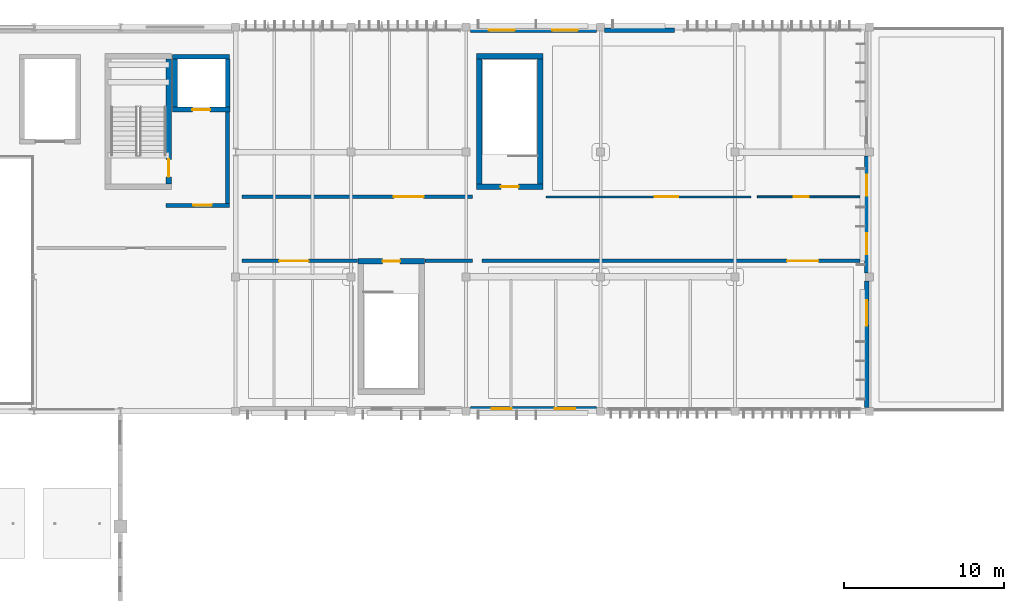
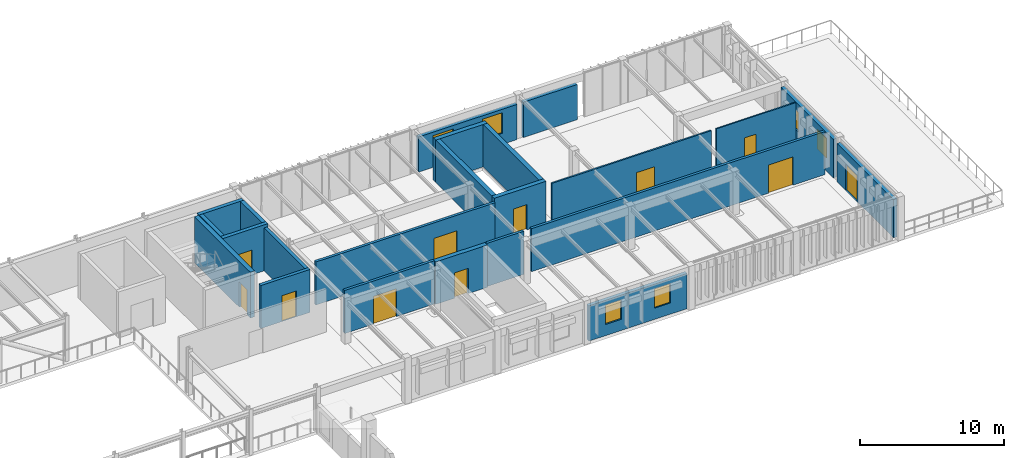
# One storey, part 23 of 44: 23 walls, 11 doors, 6 windows, 17 openings.
"""IFC4 building model written with IfcOpenShell, lengths in metres."""

from ifc_helpers import new_model, si_unit, direction, frame, frame_2d, origin, place, context, subcontext, project, spatial, rectangle, extrude, material, layer, layer_set, type_object, element, fill, save


model = new_model("IFC4")

# Units and contexts
model_context = context("Model", 3, precision=1e-05, world=origin(), true_north=direction((0.0, 1.0)))
body_context = subcontext(model_context, "Body", "Model", "MODEL_VIEW")
ifc_project = project(units=[si_unit("LENGTHUNIT", "METRE"), si_unit("AREAUNIT", "SQUARE_METRE"), si_unit("VOLUMEUNIT", "CUBIC_METRE"), si_unit("PLANEANGLEUNIT", "RADIAN"), si_unit("MASSUNIT", "GRAM", prefix="KILO")], contexts=[model_context])

# Site, building, storey
site_placement = place(None, origin())
site = spatial("IfcSite", under=ifc_project, at=site_placement, CompositionType="ELEMENT")
building_placement = place(site_placement, origin())
building = spatial("IfcBuilding", under=site, at=building_placement, Name="Tazoul Stagehouse", CompositionType="ELEMENT")
storey_placement = place(building_placement, frame((0.0, 0.0, 13.199951171875)))
storey = spatial("IfcBuildingStorey", under=building, at=storey_placement, Name="L03", CompositionType="ELEMENT", Elevation=13.199951171875)

# Wall, opening, door
ifc_material_1 = material(Name="Concrete C40/50", Category="concrete")
ifc_layer_1 = layer(ifc_material_1, 0.35009765625, Name="Concrete C40/50")
ifc_layer_set_1 = layer_set([ifc_layer_1], Name="Concrete C40/50")
wall_type_1 = type_object("IfcWallType", Name="Core Shear Wall 350", PredefinedType="SOLIDWALL", material=ifc_layer_set_1)
wall_1_placement = place(storey_placement, frame((98.425048828125, 109.800048828125, 0.0), z_axis=(0.0, 0.0, 1.0), x_axis=(0.0, -1.0, 0.0)))
wall_1 = element("IfcWall", 1, at=wall_1_placement, inside=storey, type_object=wall_type_1, Name="L03 Core Wall CW-350 (SHF-ST-01-east)", PredefinedType="SOLIDWALL", context=body_context, shape_type="SweptSolid", body=[
    extrude(rectangle(XDim=7.800048828125, YDim=0.35009765625, at=frame_2d((3.89990234375, 0.0))), origin(), (0.0, 0.0, 1.0), 3.900146484375),
])
opening_1_placement = place(wall_1_placement, frame((6.25, 0.0, 0.0)))
opening_1 = element("IfcOpeningElement", 2, at=opening_1_placement, cuts=wall_1, Name="Opening FD-01", PredefinedType="OPENING", context=body_context, shape_type="SweptSolid", body=[
    extrude(rectangle(XDim=1.10009765625, YDim=2.14990234375, at=frame_2d((0.550048828125, 1.074951171875))), frame((0.0, 0.195068359375, 0.0), z_axis=(0.0, -1.0, 0.0), x_axis=(1.0, 0.0, 0.0)), (0.0, 0.0, 1.0), 0.39013671875),
])
ifc_material_2 = material(Name="Powder-Coated Galvanised Acoustic Steel", Category="steel")
door_type_1 = type_object("IfcDoorType", Name="Core Escape Stair Fire Door 1100x2150", OperationType="NOTDEFINED", PredefinedType="DOOR", material=ifc_material_2)
door_1_placement = place(opening_1_placement, origin())
door_1 = element("IfcDoor", 3, at=door_1_placement, inside=storey, type_object=door_type_1, Name="L03 Escape Stair Fire Door FD-01 (ST-01)", OperationType="SINGLE_SWING_LEFT", OverallHeight=2.14990234375, OverallWidth=1.10009765625, PredefinedType="DOOR", context=body_context, shape_type="SweptSolid", body=[
    extrude(rectangle(XDim=1.10009765625, YDim=2.14990234375, at=frame_2d((0.550048828125, 1.074951171875))), frame((0.0, 0.02490234375, 0.0), z_axis=(0.0, -1.0, 0.0), x_axis=(1.0, 0.0, 0.0)), (0.0, 0.0, 1.0), 0.050048828125),
])
fill(opening_1, door_1)

wall_2_placement = place(storey_placement, frame((121.800048828125, 101.824951171875, 0.0), z_axis=(0.0, 0.0, 1.0), x_axis=(-1.0, 0.0, 0.0)))
wall_2 = element("IfcWall", 4, at=wall_2_placement, inside=storey, type_object=wall_type_1, Name="L03 Core Wall CW-350 (SHF-ST-02-south)", PredefinedType="SOLIDWALL", context=body_context, shape_type="SweptSolid", body=[
    extrude(rectangle(XDim=4.150146484375, YDim=0.35009765625, at=frame_2d((2.0751953125, 0.0))), origin(), (0.0, 0.0, 1.0), 3.60009765625),
])
opening_2_placement = place(wall_2_placement, frame((1.52490234375, 0.0, 0.0)))
opening_2 = element("IfcOpeningElement", 5, at=opening_2_placement, cuts=wall_2, Name="Opening FD-01", PredefinedType="OPENING", context=body_context, shape_type="SweptSolid", body=[
    extrude(rectangle(XDim=1.10009765625, YDim=2.14990234375, at=frame_2d((0.550048828125, 1.074951171875))), frame((0.0, 0.195068359375, 0.0), z_axis=(0.0, -1.0, 0.0), x_axis=(1.0, 0.0, 0.0)), (0.0, 0.0, 1.0), 0.39013671875),
])
door_2_placement = place(opening_2_placement, origin())
door_2 = element("IfcDoor", 6, at=door_2_placement, inside=storey, type_object=door_type_1, Name="L03 Escape Stair Fire Door FD-01 (ST-02)", OperationType="SINGLE_SWING_RIGHT", OverallHeight=2.14990234375, OverallWidth=1.10009765625, PredefinedType="DOOR", context=body_context, shape_type="SweptSolid", body=[
    extrude(rectangle(XDim=1.10009765625, YDim=2.14990234375, at=frame_2d((0.550048828125, 1.074951171875))), frame((0.0, 0.02490234375, 0.0), z_axis=(0.0, -1.0, 0.0), x_axis=(1.0, 0.0, 0.0)), (0.0, 0.0, 1.0), 0.050048828125),
])
fill(opening_2, door_2)

# Walls
wall_3_placement = place(storey_placement, frame((117.824951171875, 102.0, 0.0), z_axis=(0.0, 0.0, 1.0), x_axis=(0.0, 1.0, 0.0)))
element("IfcWall", 7, at=wall_3_placement, inside=storey, type_object=wall_type_1, Name="L03 Core Wall CW-350 (SHF-ST-02-west)", PredefinedType="SOLIDWALL", context=body_context, shape_type="SweptSolid", body=[
    extrude(rectangle(XDim=7.800048828125, YDim=0.35009765625, at=frame_2d((3.89990234375, 0.0))), origin(), (0.0, 0.0, 1.0), 3.60009765625),
])
wall_4_placement = place(storey_placement, frame((117.64990234375, 109.97509765625, 0.0), z_axis=(0.0, 0.0, 1.0), x_axis=(1.0, 0.0, 0.0)))
element("IfcWall", 8, at=wall_4_placement, inside=storey, type_object=wall_type_1, Name="L03 Core Wall CW-350 (SHF-ST-02-north)", PredefinedType="SOLIDWALL", context=body_context, shape_type="SweptSolid", body=[
    extrude(rectangle(XDim=4.150146484375, YDim=0.35009765625, at=frame_2d((2.0751953125, 0.0))), origin(), (0.0, 0.0, 1.0), 3.60009765625),
])
wall_5_placement = place(storey_placement, frame((121.625, 109.800048828125, 0.0), z_axis=(0.0, 0.0, 1.0), x_axis=(0.0, -1.0, 0.0)))
element("IfcWall", 9, at=wall_5_placement, inside=storey, type_object=wall_type_1, Name="L03 Core Wall CW-350 (SHF-ST-02-east)", PredefinedType="SOLIDWALL", context=body_context, shape_type="SweptSolid", body=[
    extrude(rectangle(XDim=7.800048828125, YDim=0.35009765625, at=frame_2d((3.89990234375, 0.0))), origin(), (0.0, 0.0, 1.0), 3.60009765625),
])

# Wall, opening, door
wall_6_placement = place(storey_placement, frame((110.25, 97.175048828125, 0.0), z_axis=(0.0, 0.0, 1.0), x_axis=(1.0, 0.0, 0.0)))
wall_6 = element("IfcWall", 10, at=wall_6_placement, inside=storey, type_object=wall_type_1, Name="L03 Core Wall CW-350 (SHF-ST-04-north)", PredefinedType="SOLIDWALL", context=body_context, shape_type="SweptSolid", body=[
    extrude(rectangle(XDim=4.14990234375, YDim=0.35009765625, at=frame_2d((2.074951171875, 0.0))), origin(), (0.0, 0.0, 1.0), 3.60009765625),
])
opening_3_placement = place(wall_6_placement, frame((1.52490234375, 0.0, 0.0)))
opening_3 = element("IfcOpeningElement", 11, at=opening_3_placement, cuts=wall_6, Name="Opening FD-01", PredefinedType="OPENING", context=body_context, shape_type="SweptSolid", body=[
    extrude(rectangle(XDim=1.10009765625, YDim=2.14990234375, at=frame_2d((0.550048828125, 1.074951171875))), frame((0.0, 0.195068359375, 0.0), z_axis=(0.0, -1.0, 0.0), x_axis=(1.0, 0.0, 0.0)), (0.0, 0.0, 1.0), 0.39013671875),
])
door_3_placement = place(opening_3_placement, origin())
door_3 = element("IfcDoor", 12, at=door_3_placement, inside=storey, type_object=door_type_1, Name="L03 Escape Stair Fire Door FD-01 (ST-04)", OperationType="SINGLE_SWING_LEFT", OverallHeight=2.14990234375, OverallWidth=1.10009765625, PredefinedType="DOOR", context=body_context, shape_type="SweptSolid", body=[
    extrude(rectangle(XDim=1.10009765625, YDim=2.14990234375, at=frame_2d((0.550048828125, 1.074951171875))), frame((0.0, 0.02490234375, 0.0), z_axis=(0.0, -1.0, 0.0), x_axis=(1.0, 0.0, 0.0)), (0.0, 0.0, 1.0), 0.050048828125),
])
fill(opening_3, door_3)

ifc_layer_2 = layer(ifc_material_1, 0.260009765625, Name="Concrete C40/50")
ifc_layer_set_2 = layer_set([ifc_layer_2], Name="Concrete C40/50")
wall_type_2 = type_object("IfcWallType", Name="Firefighting Lobby Wall 260", PredefinedType="SOLIDWALL", material=ifc_layer_set_2)
wall_7_placement = place(storey_placement, frame((102.2099609375, 100.669921875, 0.0), z_axis=(0.0, 0.0, 1.0), x_axis=(-1.0, 0.0, 0.0)))
wall_7 = element("IfcWall", 13, at=wall_7_placement, inside=storey, type_object=wall_type_2, Name="L03 Firefighting Lobby Wall CW-260 (C1-S)", PredefinedType="SOLIDWALL", context=body_context, shape_type="SweptSolid", body=[
    extrude(rectangle(XDim=3.9599609375, YDim=0.260009765625, at=frame_2d((1.97998046875, 0.0))), origin(), (0.0, 0.0, 1.0), 3.650146484375),
])
opening_4_placement = place(wall_7_placement, frame((1.10009765625, 0.0, 0.0)))
opening_4 = element("IfcOpeningElement", 14, at=opening_4_placement, cuts=wall_7, Name="Opening FD-02", PredefinedType="OPENING", context=body_context, shape_type="SweptSolid", body=[
    extrude(rectangle(XDim=1.14990234375, YDim=2.199951171875, at=frame_2d((0.574951171875, 1.10009765625))), frame((0.0, 0.14990234375, 0.0), z_axis=(0.0, -1.0, 0.0), x_axis=(1.0, 0.0, 0.0)), (0.0, 0.0, 1.0), 0.300048828125),
])
door_type_2 = type_object("IfcDoorType", Name="Firefighting Lobby Fire Door 1150x2200", OperationType="NOTDEFINED", PredefinedType="DOOR", material=ifc_material_2)
door_4_placement = place(opening_4_placement, origin())
door_4 = element("IfcDoor", 15, at=door_4_placement, inside=storey, type_object=door_type_2, Name="L03 Firefighting Lobby Door FD-02 (C1)", OperationType="SINGLE_SWING_RIGHT", OverallHeight=2.199951171875, OverallWidth=1.14990234375, PredefinedType="DOOR", context=body_context, shape_type="SweptSolid", body=[
    extrude(rectangle(XDim=1.14990234375, YDim=2.199951171875, at=frame_2d((0.574951171875, 1.10009765625))), frame((0.0, 0.02490234375, 0.0), z_axis=(0.0, -1.0, 0.0), x_axis=(1.0, 0.0, 0.0)), (0.0, 0.0, 1.0), 0.050048828125),
])
fill(opening_4, door_4)

# Wall
wall_8_placement = place(storey_placement, frame((102.080078125, 106.64990234375, 0.0), z_axis=(0.0, 0.0, 1.0), x_axis=(0.0, -1.0, 0.0)))
element("IfcWall", 16, at=wall_8_placement, inside=storey, type_object=wall_type_2, Name="L03 Firefighting Lobby Wall CW-260 (C1-E)", PredefinedType="SOLIDWALL", context=body_context, shape_type="SweptSolid", body=[
    extrude(rectangle(XDim=5.849853515625, YDim=0.260009765625, at=frame_2d((2.9248046875, 0.0))), origin(), (0.0, 0.0, 1.0), 3.650146484375),
])

# Wall, openings, windows
ifc_material_3 = material(Name="Precast concrete C40/50", Category="concrete")
ifc_layer_3 = layer(ifc_material_3, 0.280029296875, Name="Precast concrete C40/50")
ifc_layer_set_3 = layer_set([ifc_layer_3], Name="Precast concrete C40/50")
wall_type_3 = type_object("IfcWallType", Name="Insulated Precast Acoustic Cladding Wall 280", PredefinedType="SOLIDWALL", material=ifc_layer_set_3)
wall_9_placement = place(storey_placement, frame((117.2548828125, 111.6201171875, 0.0), z_axis=(0.0, 0.0, 1.0), x_axis=(1.0, 0.0, 0.0)))
wall_9 = element("IfcWall", 17, at=wall_9_placement, inside=storey, type_object=wall_type_3, Name="L03 Wall EW-280 (WALL-V3-N2-L03-S1)", PredefinedType="SOLIDWALL", context=body_context, shape_type="SweptSolid", body=[
    extrude(rectangle(XDim=7.89013671875, YDim=0.280029296875, at=frame_2d((3.945068359375, 0.0))), origin(), (0.0, 0.0, 1.0), 2.9931640625),
])
opening_5_placement = place(wall_9_placement, frame((1.16259765625, 0.0, 0.949951171875)))
opening_5 = element("IfcOpeningElement", 18, at=opening_5_placement, cuts=wall_9, Name="Opening WN-57", PredefinedType="OPENING", context=body_context, shape_type="SweptSolid", body=[
    extrude(rectangle(XDim=1.6201171875, YDim=1.75, at=frame_2d((0.81005859375, 0.875))), frame((0.0, 0.159912109375, 0.0), z_axis=(0.0, -1.0, 0.0), x_axis=(1.0, 0.0, 0.0)), (0.0, 0.0, 1.0), 0.320068359375),
])
opening_6_placement = place(wall_9_placement, frame((5.107421875, 0.0, 0.949951171875)))
opening_6 = element("IfcOpeningElement", 19, at=opening_6_placement, cuts=wall_9, Name="Opening WN-57", PredefinedType="OPENING", context=body_context, shape_type="SweptSolid", body=[
    extrude(rectangle(XDim=1.6201171875, YDim=1.75, at=frame_2d((0.81005859375, 0.875))), frame((0.0, 0.159912109375, 0.0), z_axis=(0.0, -1.0, 0.0), x_axis=(1.0, 0.0, 0.0)), (0.0, 0.0, 1.0), 0.320068359375),
])
ifc_material_4 = material(Name="Double Low-E Acoustic Laminated Glass", Category="glass")
window_type_1 = type_object("IfcWindowType", Name="Architectural Acoustic Facade Window 1620x1750", PartitioningType="SINGLE_PANEL", PredefinedType="WINDOW", material=ifc_material_4)
window_1_placement = place(opening_5_placement, origin())
window_1 = element("IfcWindow", 20, at=window_1_placement, inside=storey, type_object=window_type_1, Name="L03 Window WN-57 (WALL-V3-N2-L03-S1-W1)", OverallHeight=1.75, OverallWidth=1.6201171875, PartitioningType="SINGLE_PANEL", PredefinedType="WINDOW", context=body_context, shape_type="SweptSolid", body=[
    extrude(rectangle(XDim=1.6201171875, YDim=1.75, at=frame_2d((0.81005859375, 0.875))), frame((0.0, 0.030029296875, 0.0), z_axis=(0.0, -1.0, 0.0), x_axis=(1.0, 0.0, 0.0)), (0.0, 0.0, 1.0), 0.06005859375),
])
fill(opening_5, window_1)
window_2_placement = place(opening_6_placement, origin())
window_2 = element("IfcWindow", 21, at=window_2_placement, inside=storey, type_object=window_type_1, Name="L03 Window WN-57 (WALL-V3-N2-L03-S1-W2)", OverallHeight=1.75, OverallWidth=1.6201171875, PartitioningType="SINGLE_PANEL", PredefinedType="WINDOW", context=body_context, shape_type="SweptSolid", body=[
    extrude(rectangle(XDim=1.6201171875, YDim=1.75, at=frame_2d((0.81005859375, 0.875))), frame((0.0, 0.030029296875, 0.0), z_axis=(0.0, -1.0, 0.0), x_axis=(1.0, 0.0, 0.0)), (0.0, 0.0, 1.0), 0.06005859375),
])
fill(opening_6, window_2)

# Wall
wall_10_placement = place(storey_placement, frame((125.655029296875, 111.6201171875, 0.0), z_axis=(0.0, 0.0, 1.0), x_axis=(1.0, 0.0, 0.0)))
element("IfcWall", 22, at=wall_10_placement, inside=storey, type_object=wall_type_3, Name="L03 Wall EW-280 (WALL-V3-N2-L03-S2)", PredefinedType="SOLIDWALL", context=body_context, shape_type="SweptSolid", body=[
    extrude(rectangle(XDim=4.344970703125, YDim=0.280029296875, at=frame_2d((2.17236328125, 0.0))), origin(), (0.0, 0.0, 1.0), 2.9931640625),
])

# Wall, openings, windows
wall_11_placement = place(storey_placement, frame((117.2548828125, 87.949951171875, 0.0), z_axis=(0.0, 0.0, 1.0), x_axis=(1.0, 0.0, 0.0)))
wall_11 = element("IfcWall", 23, at=wall_11_placement, inside=storey, type_object=wall_type_3, Name="L03 Wall EW-280 (WALL-V3-S1-L03-S3)", PredefinedType="SOLIDWALL", context=body_context, shape_type="SweptSolid", body=[
    extrude(rectangle(XDim=7.89013671875, YDim=0.280029296875, at=frame_2d((3.945068359375, 0.0))), origin(), (0.0, 0.0, 1.0), 2.9931640625),
])
opening_7_placement = place(wall_11_placement, frame((1.342529296875, 0.0, 0.949951171875)))
opening_7 = element("IfcOpeningElement", 24, at=opening_7_placement, cuts=wall_11, Name="Opening WN-45", PredefinedType="OPENING", context=body_context, shape_type="SweptSolid", body=[
    extrude(rectangle(XDim=1.260009765625, YDim=1.64990234375, at=frame_2d((0.6298828125, 0.824951171875))), frame((0.0, 0.159912109375, 0.0), z_axis=(0.0, -1.0, 0.0), x_axis=(1.0, 0.0, 0.0)), (0.0, 0.0, 1.0), 0.320068359375),
])
opening_8_placement = place(wall_11_placement, frame((5.28759765625, 0.0, 0.949951171875)))
opening_8 = element("IfcOpeningElement", 25, at=opening_8_placement, cuts=wall_11, Name="Opening WN-45", PredefinedType="OPENING", context=body_context, shape_type="SweptSolid", body=[
    extrude(rectangle(XDim=1.260009765625, YDim=1.64990234375, at=frame_2d((0.6298828125, 0.824951171875))), frame((0.0, 0.159912109375, 0.0), z_axis=(0.0, -1.0, 0.0), x_axis=(1.0, 0.0, 0.0)), (0.0, 0.0, 1.0), 0.320068359375),
])
window_type_2 = type_object("IfcWindowType", Name="Architectural Acoustic Facade Window 1260x1650", PartitioningType="SINGLE_PANEL", PredefinedType="WINDOW", material=ifc_material_4)
window_3_placement = place(opening_7_placement, origin())
window_3 = element("IfcWindow", 26, at=window_3_placement, inside=storey, type_object=window_type_2, Name="L03 Window WN-45 (WALL-V3-S1-L03-S3-W1)", OverallHeight=1.64990234375, OverallWidth=1.260009765625, PartitioningType="SINGLE_PANEL", PredefinedType="WINDOW", context=body_context, shape_type="SweptSolid", body=[
    extrude(rectangle(XDim=1.260009765625, YDim=1.64990234375, at=frame_2d((0.6298828125, 0.824951171875))), frame((0.0, 0.030029296875, 0.0), z_axis=(0.0, -1.0, 0.0), x_axis=(1.0, 0.0, 0.0)), (0.0, 0.0, 1.0), 0.06005859375),
])
fill(opening_7, window_3)
window_4_placement = place(opening_8_placement, origin())
window_4 = element("IfcWindow", 27, at=window_4_placement, inside=storey, type_object=window_type_2, Name="L03 Window WN-45 (WALL-V3-S1-L03-S3-W2)", OverallHeight=1.64990234375, OverallWidth=1.260009765625, PartitioningType="SINGLE_PANEL", PredefinedType="WINDOW", context=body_context, shape_type="SweptSolid", body=[
    extrude(rectangle(XDim=1.260009765625, YDim=1.64990234375, at=frame_2d((0.6298828125, 0.824951171875))), frame((0.0, 0.030029296875, 0.0), z_axis=(0.0, -1.0, 0.0), x_axis=(1.0, 0.0, 0.0)), (0.0, 0.0, 1.0), 0.06005859375),
])
fill(opening_8, window_4)

# Wall, opening, door
wall_12_placement = place(storey_placement, frame((142.02001953125, 88.054931640625, 0.0), z_axis=(0.0, 0.0, 1.0), x_axis=(0.0, 1.0, 0.0)))
wall_12 = element("IfcWall", 28, at=wall_12_placement, inside=storey, type_object=wall_type_3, Name="L03 Wall EW-280 (WALL-V3-E-L03-S1)", PredefinedType="SOLIDWALL", context=body_context, shape_type="SweptSolid", body=[
    extrude(rectangle(XDim=7.89013671875, YDim=0.280029296875, at=frame_2d((3.945068359375, 0.0))), origin(), (0.0, 0.0, 1.0), 3.2431640625),
])
opening_9_placement = place(wall_12_placement, frame((5.094970703125, 0.0, 0.0)))
opening_9 = element("IfcOpeningElement", 29, at=opening_9_placement, cuts=wall_12, Name="Opening TD-03", PredefinedType="OPENING", context=body_context, shape_type="SweptSolid", body=[
    extrude(rectangle(XDim=1.60009765625, YDim=2.199951171875, at=frame_2d((0.800048828125, 1.10009765625))), frame((0.0, 0.159912109375, 0.0), z_axis=(0.0, -1.0, 0.0), x_axis=(1.0, 0.0, 0.0)), (0.0, 0.0, 1.0), 0.320068359375),
])
door_type_3 = type_object("IfcDoorType", Name="Rehearsal Terrace Glazed Door 1600x2200", OperationType="DOUBLE_DOOR_SINGLE_SWING", PredefinedType="DOOR", material=ifc_material_4)
door_5_placement = place(opening_9_placement, origin())
door_5 = element("IfcDoor", 30, at=door_5_placement, inside=storey, type_object=door_type_3, Name="L03 Door TD-03 (DR-V3-L03-TER1)", OperationType="SINGLE_SWING_LEFT", OverallHeight=2.199951171875, OverallWidth=1.60009765625, PredefinedType="DOOR", context=body_context, shape_type="SweptSolid", body=[
    extrude(rectangle(XDim=1.60009765625, YDim=2.199951171875, at=frame_2d((0.800048828125, 1.10009765625))), frame((0.0, 0.02490234375, 0.0), z_axis=(0.0, -1.0, 0.0), x_axis=(1.0, 0.0, 0.0)), (0.0, 0.0, 1.0), 0.050048828125),
])
fill(opening_9, door_5)

# Wall, openings, windows
wall_13_placement = place(storey_placement, frame((142.02001953125, 96.455078125, 0.0), z_axis=(0.0, 0.0, 1.0), x_axis=(0.0, 1.0, 0.0)))
wall_13 = element("IfcWall", 31, at=wall_13_placement, inside=storey, type_object=wall_type_3, Name="L03 Wall EW-280 (WALL-V3-E-L03-S2)", PredefinedType="SOLIDWALL", context=body_context, shape_type="SweptSolid", body=[
    extrude(rectangle(XDim=7.2900390625, YDim=0.280029296875, at=frame_2d((3.64501953125, 0.0))), origin(), (0.0, 0.0, 1.0), 3.282958984375),
])
opening_10_placement = place(wall_13_placement, frame((1.16259765625, 0.0, 0.949951171875)))
opening_10 = element("IfcOpeningElement", 32, at=opening_10_placement, cuts=wall_13, Name="Opening WN-47", PredefinedType="OPENING", context=body_context, shape_type="SweptSolid", body=[
    extrude(rectangle(XDim=1.320068359375, YDim=1.64990234375, at=frame_2d((0.66015625, 0.824951171875))), frame((0.0, 0.159912109375, 0.0), z_axis=(0.0, -1.0, 0.0), x_axis=(1.0, 0.0, 0.0)), (0.0, 0.0, 1.0), 0.320068359375),
])
opening_11_placement = place(wall_13_placement, frame((4.8076171875, 0.0, 0.949951171875)))
opening_11 = element("IfcOpeningElement", 33, at=opening_11_placement, cuts=wall_13, Name="Opening WN-47", PredefinedType="OPENING", context=body_context, shape_type="SweptSolid", body=[
    extrude(rectangle(XDim=1.320068359375, YDim=1.64990234375, at=frame_2d((0.66015625, 0.824951171875))), frame((0.0, 0.159912109375, 0.0), z_axis=(0.0, -1.0, 0.0), x_axis=(1.0, 0.0, 0.0)), (0.0, 0.0, 1.0), 0.320068359375),
])
window_type_3 = type_object("IfcWindowType", Name="Architectural Acoustic Facade Window 1320x1650", PartitioningType="SINGLE_PANEL", PredefinedType="WINDOW", material=ifc_material_4)
window_5_placement = place(opening_10_placement, origin())
window_5 = element("IfcWindow", 34, at=window_5_placement, inside=storey, type_object=window_type_3, Name="L03 Window WN-47 (WALL-V3-E-L03-S2-W1)", OverallHeight=1.64990234375, OverallWidth=1.320068359375, PartitioningType="SINGLE_PANEL", PredefinedType="WINDOW", context=body_context, shape_type="SweptSolid", body=[
    extrude(rectangle(XDim=1.320068359375, YDim=1.64990234375, at=frame_2d((0.66015625, 0.824951171875))), frame((0.0, 0.030029296875, 0.0), z_axis=(0.0, -1.0, 0.0), x_axis=(1.0, 0.0, 0.0)), (0.0, 0.0, 1.0), 0.06005859375),
])
fill(opening_10, window_5)
window_6_placement = place(opening_11_placement, origin())
window_6 = element("IfcWindow", 35, at=window_6_placement, inside=storey, type_object=window_type_3, Name="L03 Window WN-47 (WALL-V3-E-L03-S2-W2)", OverallHeight=1.64990234375, OverallWidth=1.320068359375, PartitioningType="SINGLE_PANEL", PredefinedType="WINDOW", context=body_context, shape_type="SweptSolid", body=[
    extrude(rectangle(XDim=1.320068359375, YDim=1.64990234375, at=frame_2d((0.66015625, 0.824951171875))), frame((0.0, 0.030029296875, 0.0), z_axis=(0.0, -1.0, 0.0), x_axis=(1.0, 0.0, 0.0)), (0.0, 0.0, 1.0), 0.06005859375),
])
fill(opening_11, window_6)

# Wall, opening, door
ifc_layer_4 = layer(ifc_material_1, 0.300048828125, Name="Concrete C40/50")
ifc_layer_set_4 = layer_set([ifc_layer_4], Name="Concrete C40/50")
wall_type_4 = type_object("IfcWallType", Name="Lift Shaft Wall 300", PredefinedType="SOLIDWALL", material=ifc_layer_set_4)
wall_14_placement = place(storey_placement, frame((102.25, 106.64990234375, 0.0), z_axis=(0.0, 0.0, 1.0), x_axis=(-1.0, 0.0, 0.0)))
wall_14 = element("IfcWall", 36, at=wall_14_placement, inside=storey, type_object=wall_type_4, Name="L03 Core Wall CW-300 (LSHF-FFL-01-south)", PredefinedType="SOLIDWALL", context=body_context, shape_type="SweptSolid", body=[
    extrude(rectangle(XDim=3.60009765625, YDim=0.300048828125, at=frame_2d((1.800048828125, 0.0))), origin(), (0.0, 0.0, 1.0), 3.900146484375),
])
opening_12_placement = place(wall_14_placement, frame((1.25, 0.0, 0.0)))
opening_12 = element("IfcOpeningElement", 37, at=opening_12_placement, cuts=wall_14, Name="Opening LD-01", PredefinedType="OPENING", context=body_context, shape_type="SweptSolid", body=[
    extrude(rectangle(XDim=1.10009765625, YDim=2.10009765625, at=frame_2d((0.550048828125, 1.050048828125))), frame((0.0, 0.169921875, 0.0), z_axis=(0.0, -1.0, 0.0), x_axis=(1.0, 0.0, 0.0)), (0.0, 0.0, 1.0), 0.340087890625),
])
door_type_4 = type_object("IfcDoorType", Name="Firefighter Lift Sliding Landing Door 1100x2100", OperationType="DOUBLE_DOOR_SLIDING", PredefinedType="DOOR", material=ifc_material_2)
door_6_placement = place(opening_12_placement, origin())
door_6 = element("IfcDoor", 38, at=door_6_placement, inside=storey, type_object=door_type_4, Name="L03 Lift Landing Sliding Door LD-01 (FFL-01)", OperationType="DOUBLE_DOOR_SLIDING", OverallHeight=2.10009765625, OverallWidth=1.10009765625, PredefinedType="DOOR", context=body_context, shape_type="SweptSolid", body=[
    extrude(rectangle(XDim=1.10009765625, YDim=2.10009765625, at=frame_2d((0.550048828125, 1.050048828125))), frame((0.0, 0.02490234375, 0.0), z_axis=(0.0, -1.0, 0.0), x_axis=(1.0, 0.0, 0.0)), (0.0, 0.0, 1.0), 0.050048828125),
])
fill(opening_12, door_6)

# Walls
wall_15_placement = place(storey_placement, frame((98.800048828125, 106.800048828125, 0.0), z_axis=(0.0, 0.0, 1.0), x_axis=(0.0, 1.0, 0.0)))
element("IfcWall", 39, at=wall_15_placement, inside=storey, type_object=wall_type_4, Name="L03 Core Wall CW-300 (LSHF-FFL-01-west)", PredefinedType="SOLIDWALL", context=body_context, shape_type="SweptSolid", body=[
    extrude(rectangle(XDim=3.0, YDim=0.300048828125, at=frame_2d((1.5, 0.0))), origin(), (0.0, 0.0, 1.0), 3.900146484375),
])
wall_16_placement = place(storey_placement, frame((98.64990234375, 109.949951171875, 0.0), z_axis=(0.0, 0.0, 1.0), x_axis=(1.0, 0.0, 0.0)))
element("IfcWall", 40, at=wall_16_placement, inside=storey, type_object=wall_type_4, Name="L03 Core Wall CW-300 (LSHF-FFL-01-north)", PredefinedType="SOLIDWALL", context=body_context, shape_type="SweptSolid", body=[
    extrude(rectangle(XDim=3.570068359375, YDim=0.300048828125, at=frame_2d((1.78515625, 0.0))), origin(), (0.0, 0.0, 1.0), 3.900146484375),
])
wall_17_placement = place(storey_placement, frame((102.10009765625, 109.800048828125, 0.0), z_axis=(0.0, 0.0, 1.0), x_axis=(0.0, -1.0, 0.0)))
element("IfcWall", 41, at=wall_17_placement, inside=storey, type_object=wall_type_4, Name="L03 Core Wall CW-300 (LSHF-FFL-01-east)", PredefinedType="SOLIDWALL", context=body_context, shape_type="SweptSolid", body=[
    extrude(rectangle(XDim=3.0, YDim=0.300048828125, at=frame_2d((1.5, 0.0))), origin(), (0.0, 0.0, 1.0), 3.900146484375),
])

# Wall, opening, door
ifc_material_5 = material(Name="Gypsum Acoustic Partition", Category="gypsum")
ifc_layer_5 = layer(ifc_material_5, 0.1298828125, Name="Gypsum Acoustic Partition")
ifc_layer_set_5 = layer_set([ifc_layer_5], Name="Gypsum Acoustic Partition")
wall_type_5 = type_object("IfcWallType", Name="Office Drywall Partition 130", PredefinedType="PARTITIONING", material=ifc_layer_set_5)
wall_18_placement = place(storey_placement, frame((134.800048828125, 101.199951171875, 0.0), z_axis=(0.0, 0.0, 1.0), x_axis=(-1.0, 0.0, 0.0)))
wall_18 = element("IfcWall", 42, at=wall_18_placement, inside=storey, type_object=wall_type_5, Name="L03 Partition PW-130 (PW-RM-L03-081-S)", PredefinedType="PARTITIONING", context=body_context, shape_type="SweptSolid", body=[
    extrude(rectangle(XDim=12.800048828125, YDim=0.1298828125, at=frame_2d((6.39990234375, 0.0))), origin(), (0.0, 0.0, 1.0), 3.66015625),
])
opening_13_placement = place(wall_18_placement, frame((4.560546875, 0.0, 0.0)))
opening_13 = element("IfcOpeningElement", 43, at=opening_13_placement, cuts=wall_18, Name="Opening ID-21", PredefinedType="OPENING", context=body_context, shape_type="SweptSolid", body=[
    extrude(rectangle(XDim=1.449951171875, YDim=2.199951171875, at=frame_2d((0.72509765625, 1.10009765625))), frame((0.0, 0.0849609375, 0.0), z_axis=(0.0, -1.0, 0.0), x_axis=(1.0, 0.0, 0.0)), (0.0, 0.0, 1.0), 0.169921875),
])
ifc_material_6 = material(Name="Acoustic Cedar Timber", Category="wood")
door_type_5 = type_object("IfcDoorType", Name="Press Conference Double Door 1450x2200", OperationType="DOUBLE_DOOR_SINGLE_SWING", PredefinedType="DOOR", material=ifc_material_6)
door_7_placement = place(opening_13_placement, origin())
door_7 = element("IfcDoor", 44, at=door_7_placement, inside=storey, type_object=door_type_5, Name="L03 Performers Green Room and Hospitality Lounge Door", OperationType="DOUBLE_DOOR_SINGLE_SWING", OverallHeight=2.199951171875, OverallWidth=1.449951171875, PredefinedType="DOOR", context=body_context, shape_type="SweptSolid", body=[
    extrude(rectangle(XDim=1.449951171875, YDim=2.199951171875, at=frame_2d((0.72509765625, 1.10009765625))), frame((0.0, 0.02490234375, 0.0), z_axis=(0.0, -1.0, 0.0), x_axis=(1.0, 0.0, 0.0)), (0.0, 0.0, 1.0), 0.050048828125),
])
fill(opening_13, door_7)

ifc_layer_6 = layer(ifc_material_5, 0.2099609375, Name="Gypsum Acoustic Partition")
ifc_layer_set_6 = layer_set([ifc_layer_6], Name="Gypsum Acoustic Partition")
wall_type_6 = type_object("IfcWallType", Name="Rehearsal Room Acoustic Partition 210", PredefinedType="PARTITIONING", material=ifc_layer_set_6)
wall_19_placement = place(storey_placement, frame((103.0, 97.199951171875, 0.0), z_axis=(0.0, 0.0, 1.0), x_axis=(1.0, 0.0, 0.0)))
wall_19 = element("IfcWall", 45, at=wall_19_placement, inside=storey, type_object=wall_type_6, Name="L03 Partition PW-210 (PW-RM-L03-078-N-S1)", PredefinedType="PARTITIONING", context=body_context, shape_type="SweptSolid", body=[
    extrude(rectangle(XDim=7.2099609375, YDim=0.2099609375, at=frame_2d((3.60498046875, 0.0))), origin(), (0.0, 0.0, 1.0), 3.66015625),
])
opening_14_placement = place(wall_19_placement, frame((2.31201171875, 0.0, 0.0)))
opening_14 = element("IfcOpeningElement", 46, at=opening_14_placement, cuts=wall_19, Name="Opening ID-18", PredefinedType="OPENING", context=body_context, shape_type="SweptSolid", body=[
    extrude(rectangle(XDim=1.85009765625, YDim=2.35009765625, at=frame_2d((0.925048828125, 1.175048828125))), frame((0.0, 0.125, 0.0), z_axis=(0.0, -1.0, 0.0), x_axis=(1.0, 0.0, 0.0)), (0.0, 0.0, 1.0), 0.25),
])
door_type_6 = type_object("IfcDoorType", Name="Rehearsal Hall Acoustic Double Door 1850x2350", OperationType="DOUBLE_DOOR_SINGLE_SWING", PredefinedType="DOOR", material=ifc_material_6)
door_8_placement = place(opening_14_placement, origin())
door_8 = element("IfcDoor", 47, at=door_8_placement, inside=storey, type_object=door_type_6, Name="L03 Matched-Stage Drama Rehearsal Hall Door", OperationType="DOUBLE_DOOR_SINGLE_SWING", OverallHeight=2.35009765625, OverallWidth=1.85009765625, PredefinedType="DOOR", context=body_context, shape_type="SweptSolid", body=[
    extrude(rectangle(XDim=1.85009765625, YDim=2.35009765625, at=frame_2d((0.925048828125, 1.175048828125))), frame((0.0, 0.02490234375, 0.0), z_axis=(0.0, -1.0, 0.0), x_axis=(1.0, 0.0, 0.0)), (0.0, 0.0, 1.0), 0.050048828125),
])
fill(opening_14, door_8)

# Wall
wall_20_placement = place(storey_placement, frame((114.43994140625, 97.199951171875, 0.0), z_axis=(0.0, 0.0, 1.0), x_axis=(1.0, 0.0, 0.0)))
element("IfcWall", 48, at=wall_20_placement, inside=storey, type_object=wall_type_6, Name="L03 Partition PW-210 (PW-RM-L03-078-N-S2)", PredefinedType="PARTITIONING", context=body_context, shape_type="SweptSolid", body=[
    extrude(rectangle(XDim=2.9599609375, YDim=0.2099609375, at=frame_2d((1.47998046875, 0.0))), origin(), (0.0, 0.0, 1.0), 3.66015625),
])

# Wall, opening, door
wall_21_placement = place(storey_placement, frame((118.0, 97.199951171875, 0.0), z_axis=(0.0, 0.0, 1.0), x_axis=(1.0, 0.0, 0.0)))
wall_21 = element("IfcWall", 49, at=wall_21_placement, inside=storey, type_object=wall_type_6, Name="L03 Partition PW-210 (PW-RM-L03-079-N)", PredefinedType="PARTITIONING", context=body_context, shape_type="SweptSolid", body=[
    extrude(rectangle(XDim=23.60009765625, YDim=0.2099609375, at=frame_2d((11.800048828125, 0.0))), origin(), (0.0, 0.0, 1.0), 3.66015625),
])
opening_15_placement = place(wall_21_placement, frame((19.055419921875, 0.0, 0.0)))
opening_15 = element("IfcOpeningElement", 50, at=opening_15_placement, cuts=wall_21, Name="Opening ID-19", PredefinedType="OPENING", context=body_context, shape_type="SweptSolid", body=[
    extrude(rectangle(XDim=1.949951171875, YDim=2.39990234375, at=frame_2d((0.97509765625, 1.199951171875))), frame((0.0, 0.125, 0.0), z_axis=(0.0, -1.0, 0.0), x_axis=(1.0, 0.0, 0.0)), (0.0, 0.0, 1.0), 0.25),
])
door_type_7 = type_object("IfcDoorType", Name="Orchestra Rehearsal Double Door 1950x2400", OperationType="DOUBLE_DOOR_SINGLE_SWING", PredefinedType="DOOR", material=ifc_material_6)
door_9_placement = place(opening_15_placement, origin())
door_9 = element("IfcDoor", 51, at=door_9_placement, inside=storey, type_object=door_type_7, Name="L03 Symphonic Orchestra Rehearsal Hall Door", OperationType="DOUBLE_DOOR_SINGLE_SWING", OverallHeight=2.39990234375, OverallWidth=1.949951171875, PredefinedType="DOOR", context=body_context, shape_type="SweptSolid", body=[
    extrude(rectangle(XDim=1.949951171875, YDim=2.39990234375, at=frame_2d((0.97509765625, 1.199951171875))), frame((0.0, 0.02490234375, 0.0), z_axis=(0.0, -1.0, 0.0), x_axis=(1.0, 0.0, 0.0)), (0.0, 0.0, 1.0), 0.050048828125),
])
fill(opening_15, door_9)

wall_22_placement = place(storey_placement, frame((117.39990234375, 101.199951171875, 0.0), z_axis=(0.0, 0.0, 1.0), x_axis=(-1.0, 0.0, 0.0)))
wall_22 = element("IfcWall", 52, at=wall_22_placement, inside=storey, type_object=wall_type_6, Name="L03 Partition PW-210 (PW-RM-L03-080-S)", PredefinedType="PARTITIONING", context=body_context, shape_type="SweptSolid", body=[
    extrude(rectangle(XDim=14.39990234375, YDim=0.2099609375, at=frame_2d((7.199951171875, 0.0))), origin(), (0.0, 0.0, 1.0), 3.66015625),
])
opening_16_placement = place(wall_22_placement, frame((3.065673828125, 0.0, 0.0)))
opening_16 = element("IfcOpeningElement", 53, at=opening_16_placement, cuts=wall_22, Name="Opening ID-18", PredefinedType="OPENING", context=body_context, shape_type="SweptSolid", body=[
    extrude(rectangle(XDim=1.85009765625, YDim=2.35009765625, at=frame_2d((0.925048828125, 1.175048828125))), frame((0.0, 0.125, 0.0), z_axis=(0.0, -1.0, 0.0), x_axis=(1.0, 0.0, 0.0)), (0.0, 0.0, 1.0), 0.25),
])
door_10_placement = place(opening_16_placement, origin())
door_10 = element("IfcDoor", 54, at=door_10_placement, inside=storey, type_object=door_type_6, Name="L03 Sprung-Floor Dance Rehearsal Studio Door", OperationType="DOUBLE_DOOR_SINGLE_SWING", OverallHeight=2.35009765625, OverallWidth=1.85009765625, PredefinedType="DOOR", context=body_context, shape_type="SweptSolid", body=[
    extrude(rectangle(XDim=1.85009765625, YDim=2.35009765625, at=frame_2d((0.925048828125, 1.175048828125))), frame((0.0, 0.02490234375, 0.0), z_axis=(0.0, -1.0, 0.0), x_axis=(1.0, 0.0, 0.0)), (0.0, 0.0, 1.0), 0.050048828125),
])
fill(opening_16, door_10)

ifc_layer_7 = layer(ifc_material_5, 0.110107421875, Name="Gypsum Acoustic Partition")
ifc_layer_set_7 = layer_set([ifc_layer_7], Name="Gypsum Acoustic Partition")
wall_type_7 = type_object("IfcWallType", Name="Wet-Area Tile Backing Partition 110", PredefinedType="PARTITIONING", material=ifc_layer_set_7)
wall_23_placement = place(storey_placement, frame((141.60009765625, 101.199951171875, 0.0), z_axis=(0.0, 0.0, 1.0), x_axis=(-1.0, 0.0, 0.0)))
wall_23 = element("IfcWall", 55, at=wall_23_placement, inside=storey, type_object=wall_type_7, Name="L03 Partition PW-110 (PW-RM-L03-082-S)", PredefinedType="PARTITIONING", context=body_context, shape_type="SweptSolid", body=[
    extrude(rectangle(XDim=6.400146484375, YDim=0.110107421875, at=frame_2d((3.2001953125, 0.0))), origin(), (0.0, 0.0, 1.0), 3.66015625),
])
opening_17_placement = place(wall_23_placement, frame((3.199951171875, 0.0, 0.0)))
opening_17 = element("IfcOpeningElement", 56, at=opening_17_placement, cuts=wall_23, Name="Opening ID-02", PredefinedType="OPENING", context=body_context, shape_type="SweptSolid", body=[
    extrude(rectangle(XDim=0.949951171875, YDim=2.10009765625, at=frame_2d((0.47509765625, 1.050048828125))), frame((0.0, 0.074951171875, 0.0), z_axis=(0.0, -1.0, 0.0), x_axis=(1.0, 0.0, 0.0)), (0.0, 0.0, 1.0), 0.150146484375),
])
door_type_8 = type_object("IfcDoorType", Name="Accessible WC Door 950x2100", OperationType="NOTDEFINED", PredefinedType="DOOR", material=ifc_material_6)
door_11_placement = place(opening_17_placement, origin())
door_11 = element("IfcDoor", 57, at=door_11_placement, inside=storey, type_object=door_type_8, Name="L03 L03 Rehearsal Accessible WC Door", OperationType="SINGLE_SWING_RIGHT", OverallHeight=2.10009765625, OverallWidth=0.949951171875, PredefinedType="DOOR", context=body_context, shape_type="SweptSolid", body=[
    extrude(rectangle(XDim=0.949951171875, YDim=2.10009765625, at=frame_2d((0.47509765625, 1.050048828125))), frame((0.0, 0.02490234375, 0.0), z_axis=(0.0, -1.0, 0.0), x_axis=(1.0, 0.0, 0.0)), (0.0, 0.0, 1.0), 0.050048828125),
])
fill(opening_17, door_11)

save(model, "model.ifc")
